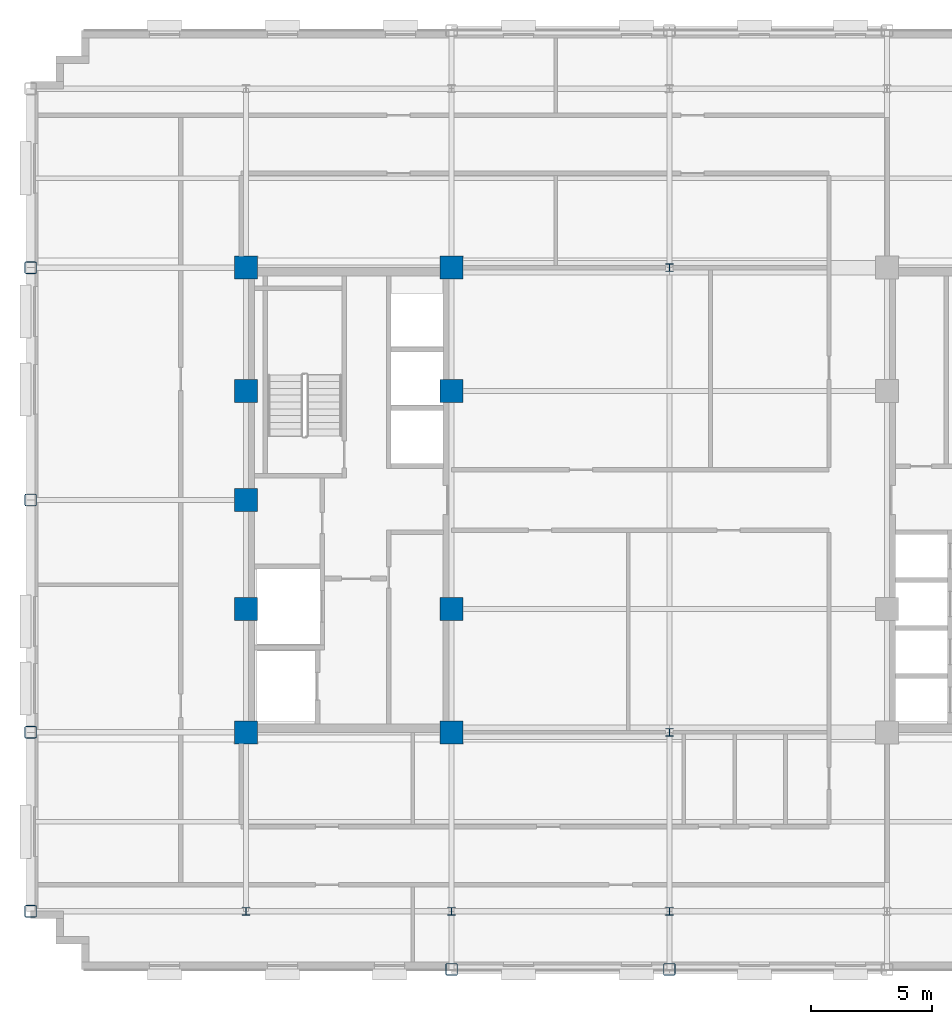
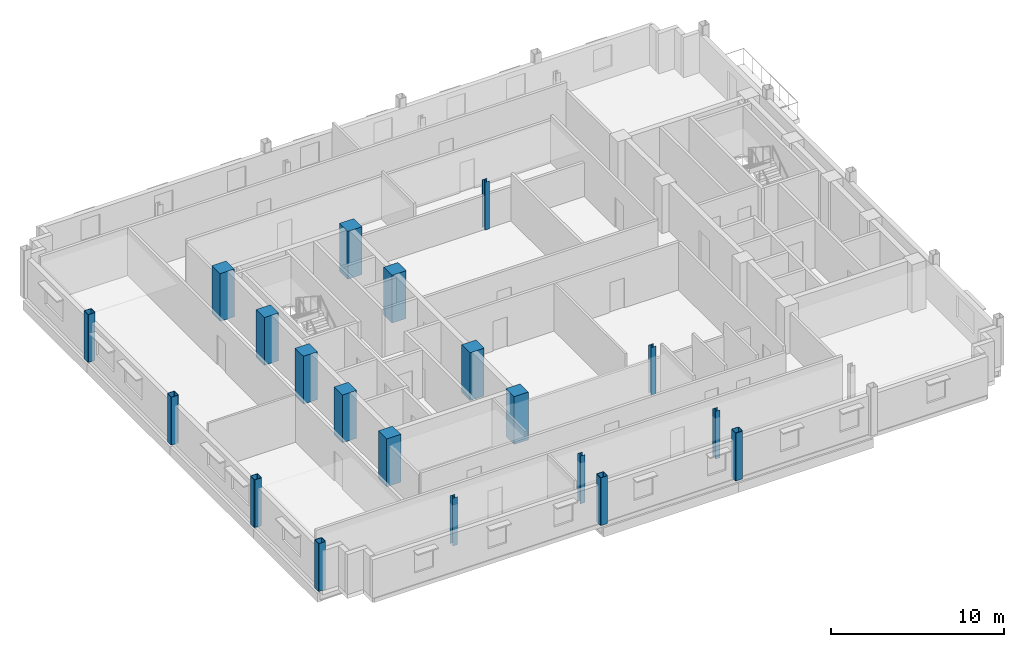
# One storey, part 1 of 13: 20 columns.
"""IFC4 building model written with IfcOpenShell, lengths in metres."""

from ifc_helpers import new_model, si_unit, direction, frame, origin, origin_2d, place, context, subcontext, project, spatial, rectangle, hollow_rectangle, i_section, extrude, material, material_profile, profile_set, type_object, element, save


model = new_model("IFC4")

# Units and contexts
model_context = context("Model", 3, precision=1e-05, world=origin(), true_north=direction((0.0, 1.0)))
body_context = subcontext(model_context, "Body", "Model", "MODEL_VIEW")
ifc_project = project(units=[si_unit("LENGTHUNIT", "METRE"), si_unit("AREAUNIT", "SQUARE_METRE"), si_unit("VOLUMEUNIT", "CUBIC_METRE"), si_unit("PLANEANGLEUNIT", "RADIAN"), si_unit("MASSUNIT", "GRAM", prefix="KILO")], contexts=[model_context])

# Site, building, storey
site_placement = place(None, origin())
site = spatial("IfcSite", under=ifc_project, at=site_placement, CompositionType="ELEMENT")
building_placement = place(site_placement, origin())
building = spatial("IfcBuilding", under=site, at=building_placement, Name="Nuvemarco Arch Tower", CompositionType="ELEMENT")
storey_placement = place(building_placement, frame((0.0, 0.0, 212.800048828125)))
storey = spatial("IfcBuildingStorey", under=building, at=storey_placement, Name="L56", CompositionType="ELEMENT", Elevation=212.800048828125)

# Columns
ifc_material_1 = material(Name="Concrete C50/60", Category="concrete")
ifc_material_profile_1 = material_profile(ifc_material_1, rectangle(XDim=0.949951171875, YDim=0.949951171875, at=origin_2d()), Name="RC-COL-950x950")
ifc_profile_set_1 = profile_set([ifc_material_profile_1], Name="Concrete C50/60")
column_type_1 = type_object("IfcColumnType", Name="COL-CORE-950", PredefinedType="COLUMN", material=ifc_profile_set_1)
for number, where, z_axis, x_axis, name in (
    (1, (-17.5, -9.60009765625, 0.0), (0.0, 0.0, 1.0), (1.0, 0.0, 0.0), "L56 column CC_-17.5_-9.6"),
    (2, (-17.5, -4.5, 0.0), (0.0, 0.0, 1.0), (1.0, 0.0, 0.0), "L56 column CC_-17.5_-4.5"),
    (3, (-17.5, 4.5, 0.0), (0.0, 0.0, 1.0), (1.0, 0.0, 0.0), "L56 column CC_-17.5_+4.5"),
    (4, (-17.5, 9.60009765625, 0.0), (0.0, 0.0, 1.0), (1.0, 0.0, 0.0), "L56 column CC_-17.5_+9.6"),
    (5, (-9.0, -9.60009765625, 0.0), (0.0, 0.0, 1.0), (1.0, 0.0, 0.0), "L56 column CC_-9.0_-9.6"),
    (6, (-9.0, -4.5, 0.0), (0.0, 0.0, 1.0), (1.0, 0.0, 0.0), "L56 column CC_-9.0_-4.5"),
    (7, (-9.0, 4.5, 0.0), (0.0, 0.0, 1.0), (1.0, 0.0, 0.0), "L56 column CC_-9.0_+4.5"),
    (8, (-9.0, 9.60009765625, 0.0), (0.0, 0.0, 1.0), (1.0, 0.0, 0.0), "L56 column CC_-9.0_+9.6"),
    (9, (-17.5, 0.0, 0.0), (0.0, 0.0, 1.0), (1.0, 0.0, 0.0), "L56 column CC_-17.5_+0.0"),
):
    element("IfcColumn", number, at=place(storey_placement, frame(where, z_axis=z_axis, x_axis=x_axis)), inside=storey, type_object=column_type_1, Name=name, PredefinedType="COLUMN", context=body_context, shape_type="SweptSolid", body=[
        extrude(rectangle(XDim=0.949951171875, YDim=0.949951171875, at=origin_2d()), origin(), (0.0, 0.0, 1.0), 3.369873046875),
    ])
ifc_material_2 = material(Name="Steel S355", Category="steel")
ifc_material_profile_2 = material_profile(ifc_material_2, hollow_rectangle(XDim=0.5, YDim=0.5, WallThickness=0.031982421875, InnerFilletRadius=0.031982421875, OuterFilletRadius=0.06396484375, at=origin_2d()), Name="SHS500x500x32")
ifc_profile_set_2 = profile_set([ifc_material_profile_2], Name="Steel S355")
column_type_2 = type_object("IfcColumnType", Name="COL-EXO-500", PredefinedType="COLUMN", material=ifc_profile_set_2)
for number, where, z_axis, x_axis, name in (
    (10, (-26.39990234375, -17.0, 0.0), (0.0, 0.0, 1.0), (1.0, 0.0, 0.0), "L56 column CX_-26.4_-17.0"),
    (11, (-26.39990234375, -9.60009765625, 0.0), (0.0, 0.0, 1.0), (1.0, 0.0, 0.0), "L56 column CX_-26.4_-9.6"),
    (12, (-26.39990234375, 0.0, 0.0), (0.0, 0.0, 1.0), (1.0, 0.0, 0.0), "L56 column CX_-26.4_+0.0"),
    (13, (-26.39990234375, 9.60009765625, 0.0), (0.0, 0.0, 1.0), (1.0, 0.0, 0.0), "L56 column CX_-26.4_+9.6"),
    (14, (-9.0, -19.39990234375, 0.0), (0.0, 0.0, 1.0), (1.0, 0.0, 0.0), "L56 column CY_-9.0_-19.4"),
    (15, (0.0, -19.39990234375, 0.0), (0.0, 0.0, 1.0), (1.0, 0.0, 0.0), "L56 column CY_+0.0_-19.4"),
):
    element("IfcColumn", number, at=place(storey_placement, frame(where, z_axis=z_axis, x_axis=x_axis)), inside=storey, type_object=column_type_2, Name=name, PredefinedType="COLUMN", context=body_context, shape_type="SweptSolid", body=[
        extrude(hollow_rectangle(XDim=0.5, YDim=0.5, WallThickness=0.031982421875, InnerFilletRadius=0.031982421875, OuterFilletRadius=0.06396484375, at=origin_2d()), origin(), (0.0, 0.0, 1.0), 3.369873046875),
    ])
ifc_material_profile_3 = material_profile(ifc_material_2, i_section(OverallWidth=0.31005859375, OverallDepth=0.31005859375, WebThickness=0.015380859375, FlangeThickness=0.015380859375, FilletRadius=0.014892578125, at=origin_2d()), Name="HP310x110")
ifc_profile_set_3 = profile_set([ifc_material_profile_3], Name="Steel S355")
column_type_3 = type_object("IfcColumnType", Name="COL-STL-HP310", PredefinedType="COLUMN", material=ifc_profile_set_3)
for number, where, z_axis, x_axis, name in (
    (16, (0.0, -17.0, 0.0), (0.0, 0.0, 1.0), (1.0, 0.0, 0.0), "L56 column CI_+0.0_-17.0"),
    (17, (0.0, -9.60009765625, 0.0), (0.0, 0.0, 1.0), (1.0, 0.0, 0.0), "L56 column CI_+0.0_-9.6"),
    (18, (0.0, 9.60009765625, 0.0), (0.0, 0.0, 1.0), (1.0, 0.0, 0.0), "L56 column CI_+0.0_+9.6"),
    (19, (-17.5, -17.0, 0.0), (0.0, 0.0, 1.0), (1.0, 0.0, 0.0), "L56 column CI_-17.5_-17.0"),
    (20, (-9.0, -17.0, 0.0), (0.0, 0.0, 1.0), (1.0, 0.0, 0.0), "L56 column CI_-9.0_-17.0"),
):
    element("IfcColumn", number, at=place(storey_placement, frame(where, z_axis=z_axis, x_axis=x_axis)), inside=storey, type_object=column_type_3, Name=name, PredefinedType="COLUMN", context=body_context, shape_type="SweptSolid", body=[
        extrude(i_section(OverallWidth=0.31005859375, OverallDepth=0.31005859375, WebThickness=0.015380859375, FlangeThickness=0.015380859375, FilletRadius=0.014892578125, at=origin_2d()), origin(), (0.0, 0.0, 1.0), 3.369873046875),
    ])

save(model, "model.ifc")
